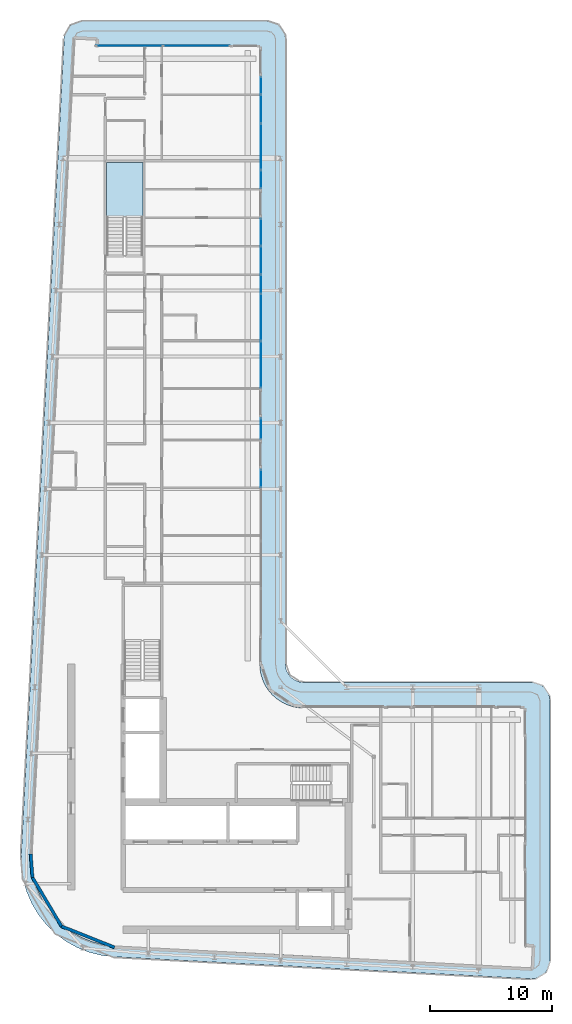
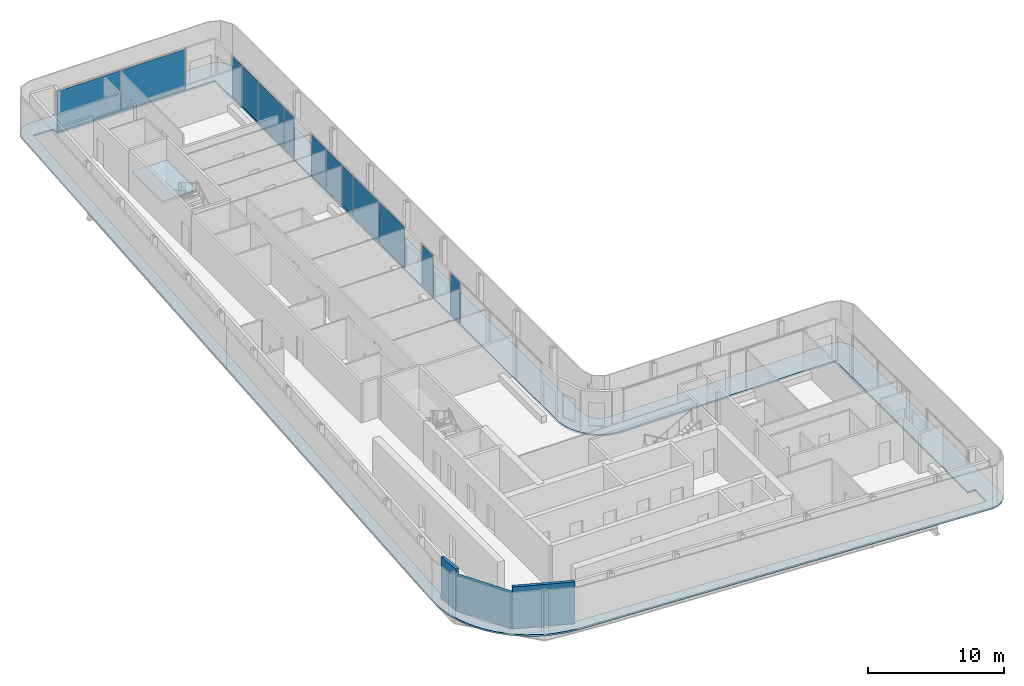
# One storey, part 10 of 21: 13 plates, 3 walls, 2 slabs, 8 elements without a shape of their own.
"""IFC4 building model written with IfcOpenShell, lengths in metres."""

from ifc_helpers import new_model, si_unit, direction, frame, frame_2d, origin, origin_2d, place, context, subcontext, project, spatial, polyline, rectangle, outline, extrude, material, layer, layer_set, type_object, element, aggregate, save


model = new_model("IFC4")

# Units and contexts
model_context = context("Model", 3, precision=1e-05, world=origin(), true_north=direction((0.0, 1.0)))
body_context = subcontext(model_context, "Body", "Model", "MODEL_VIEW")
ifc_project = project(units=[si_unit("LENGTHUNIT", "METRE"), si_unit("AREAUNIT", "SQUARE_METRE"), si_unit("VOLUMEUNIT", "CUBIC_METRE"), si_unit("PLANEANGLEUNIT", "RADIAN"), si_unit("MASSUNIT", "GRAM", prefix="KILO")], contexts=[model_context])

# Site, building, storey
site_placement = place(None, origin())
site = spatial("IfcSite", under=ifc_project, at=site_placement, CompositionType="ELEMENT")
building_placement = place(site_placement, origin())
building = spatial("IfcBuilding", under=site, at=building_placement, Name="Kheshtan School and Residences Tower", CompositionType="ELEMENT")
storey_placement = place(building_placement, frame((0.0, 0.0, 321.5)))
storey = spatial("IfcBuildingStorey", under=building, at=storey_placement, Name="L76", CompositionType="ELEMENT", Elevation=321.5)

# Curtain wall, plates
ifc_material_1 = material(Name="Clear low-e glass in thermally broken aluminium frame", Category="aluminium")
ifc_layer_1 = layer(ifc_material_1, 0.199951171875)
ifc_layer_set_1 = layer_set([ifc_layer_1], Name="Curtain wall CW-L")
curtain_wall_type = type_object("IfcCurtainWallType", Name="Curtain wall CW-L", PredefinedType="NOTDEFINED", material=ifc_layer_set_1)
curtain_wall_1_placement = place(storey_placement, origin())
curtain_wall_1 = element("IfcCurtainWall", 1, at=curtain_wall_1_placement, inside=storey, type_object=curtain_wall_type, Name="Curtain wall CWL7", PredefinedType="NOTDEFINED")
ifc_layer_2 = layer(ifc_material_1, 0.031982421875)
ifc_layer_set_2 = layer_set([ifc_layer_2], Name="CW-L glass panel")
plate_type = type_object("IfcPlateType", Name="CW-L glass panel", PredefinedType="CURTAIN_PANEL", material=ifc_layer_set_2)
plate_1_placement = place(storey_placement, frame((35.259033203125, 98.0, 0.0), z_axis=(0.0, 0.0, 1.0), x_axis=(1.0, 0.0, 0.0)))
plate_1 = element("IfcPlate", 2, at=plate_1_placement, type_object=plate_type, Name="CWL7 panel 1.1", PredefinedType="CURTAIN_PANEL", context=body_context, shape_type="SweptSolid", body=[
    extrude(rectangle(XDim=5.4140625, YDim=0.031982421875, at=origin_2d()), origin(), (0.0, 0.0, 1.0), 3.6298828125),
])
plate_2_placement = place(storey_placement, frame((40.73291015625, 98.0, 0.0), z_axis=(0.0, 0.0, 1.0), x_axis=(1.0, 0.0, 0.0)))
plate_2 = element("IfcPlate", 3, at=plate_2_placement, type_object=plate_type, Name="CWL7 panel 2.1", PredefinedType="CURTAIN_PANEL", context=body_context, shape_type="SweptSolid", body=[
    extrude(rectangle(XDim=5.4140625, YDim=0.031982421875, at=origin_2d()), origin(), (0.0, 0.0, 1.0), 3.6298828125),
])
aggregate(curtain_wall_1, [plate_1, plate_2])

curtain_wall_2_placement = place(storey_placement, origin())
curtain_wall_2 = element("IfcCurtainWall", 4, at=curtain_wall_2_placement, inside=storey, type_object=curtain_wall_type, Name="Curtain wall CWL8c", PredefinedType="NOTDEFINED")
plate_3_placement = place(storey_placement, frame((46.0, 94.735107421875, 0.0), z_axis=(0.0, 0.0, 1.0), x_axis=(0.0, -1.0, 0.0)))
plate_3 = element("IfcPlate", 5, at=plate_3_placement, type_object=plate_type, Name="CWL8c panel 1.1", PredefinedType="CURTAIN_PANEL", context=body_context, shape_type="SweptSolid", body=[
    extrude(rectangle(XDim=1.409912109375, YDim=0.031982421875, at=origin_2d()), origin(), (0.0, 0.0, 1.0), 3.6298828125),
])
plate_4_placement = place(storey_placement, frame((46.0, 92.826416015625, 0.0), z_axis=(0.0, 0.0, 1.0), x_axis=(0.0, -1.0, 0.0)))
plate_4 = element("IfcPlate", 6, at=plate_4_placement, type_object=plate_type, Name="CWL8c panel 2.1", PredefinedType="CURTAIN_PANEL", context=body_context, shape_type="SweptSolid", body=[
    extrude(rectangle(XDim=2.287109375, YDim=0.031982421875, at=origin_2d()), origin(), (0.0, 0.0, 1.0), 3.6298828125),
])
plate_5_placement = place(storey_placement, frame((46.0, 89.744384765625, 0.0), z_axis=(0.0, 0.0, 1.0), x_axis=(0.0, -1.0, 0.0)))
plate_5 = element("IfcPlate", 7, at=plate_5_placement, type_object=plate_type, Name="CWL8c panel 3.1", PredefinedType="CURTAIN_PANEL", context=body_context, shape_type="SweptSolid", body=[
    extrude(rectangle(XDim=3.757080078125, YDim=0.031982421875, at=origin_2d()), origin(), (0.0, 0.0, 1.0), 3.6298828125),
])
aggregate(curtain_wall_2, [plate_3, plate_4, plate_5])

# Curtain wall, plate
curtain_wall_3_placement = place(storey_placement, origin())
curtain_wall_3 = element("IfcCurtainWall", 8, at=curtain_wall_3_placement, inside=storey, type_object=curtain_wall_type, Name="Curtain wall CWL8a", PredefinedType="NOTDEFINED")
plate_6_placement = place(storey_placement, frame((46.0, 87.0859375, 0.0), z_axis=(0.0, 0.0, 1.0), x_axis=(0.0, -1.0, 0.0)))
plate_6 = element("IfcPlate", 9, at=plate_6_placement, type_object=plate_type, Name="CWL8a panel 1.1", PredefinedType="CURTAIN_PANEL", context=body_context, shape_type="SweptSolid", body=[
    extrude(rectangle(XDim=1.43994140625, YDim=0.031982421875, at=origin_2d()), origin(), (0.0, 0.0, 1.0), 3.6298828125),
])
aggregate(curtain_wall_3, [plate_6])

# Curtain wall, plates
curtain_wall_4_placement = place(storey_placement, origin())
curtain_wall_4 = element("IfcCurtainWall", 10, at=curtain_wall_4_placement, inside=storey, type_object=curtain_wall_type, Name="Curtain wall CWL8b", PredefinedType="NOTDEFINED")
plate_7_placement = place(storey_placement, frame((46.0, 82.75048828125, 0.0), z_axis=(0.0, 0.0, 1.0), x_axis=(0.0, -1.0, 0.0)))
plate_7 = element("IfcPlate", 11, at=plate_7_placement, type_object=plate_type, Name="CWL8b panel 1.1", PredefinedType="CURTAIN_PANEL", context=body_context, shape_type="SweptSolid", body=[
    extrude(rectangle(XDim=2.19091796875, YDim=0.031982421875, at=origin_2d()), origin(), (0.0, 0.0, 1.0), 3.6298828125),
])
plate_8_placement = place(storey_placement, frame((46.0, 80.46240234375, 0.0), z_axis=(0.0, 0.0, 1.0), x_axis=(0.0, -1.0, 0.0)))
plate_8 = element("IfcPlate", 12, at=plate_8_placement, type_object=plate_type, Name="CWL8b panel 2.1", PredefinedType="CURTAIN_PANEL", context=body_context, shape_type="SweptSolid", body=[
    extrude(rectangle(XDim=2.264892578125, YDim=0.031982421875, at=origin_2d()), origin(), (0.0, 0.0, 1.0), 3.6298828125),
])
plate_9_placement = place(storey_placement, frame((46.0, 78.52099609375, 0.0), z_axis=(0.0, 0.0, 1.0), x_axis=(0.0, -1.0, 0.0)))
plate_9 = element("IfcPlate", 13, at=plate_9_placement, type_object=plate_type, Name="CWL8b panel 3.1", PredefinedType="CURTAIN_PANEL", context=body_context, shape_type="SweptSolid", body=[
    extrude(rectangle(XDim=1.498046875, YDim=0.031982421875, at=origin_2d()), origin(), (0.0, 0.0, 1.0), 3.6298828125),
])
aggregate(curtain_wall_4, [plate_7, plate_8, plate_9])

curtain_wall_5_placement = place(storey_placement, origin())
curtain_wall_5 = element("IfcCurtainWall", 14, at=curtain_wall_5_placement, inside=storey, type_object=curtain_wall_type, Name="Curtain wall CWL8", PredefinedType="NOTDEFINED")
plate_10_placement = place(storey_placement, frame((46.0, 75.803466796875, 0.0), z_axis=(0.0, 0.0, 1.0), x_axis=(0.0, -1.0, 0.0)))
plate_10 = element("IfcPlate", 15, at=plate_10_placement, type_object=plate_type, Name="CWL8 panel 1.1", PredefinedType="CURTAIN_PANEL", context=body_context, shape_type="SweptSolid", body=[
    extrude(rectangle(XDim=3.81689453125, YDim=0.031982421875, at=origin_2d()), origin(), (0.0, 0.0, 1.0), 3.6298828125),
])
plate_11_placement = place(storey_placement, frame((46.0, 71.95654296875, 0.0), z_axis=(0.0, 0.0, 1.0), x_axis=(0.0, -1.0, 0.0)))
plate_11 = element("IfcPlate", 16, at=plate_11_placement, type_object=plate_type, Name="CWL8 panel 2.1", PredefinedType="CURTAIN_PANEL", context=body_context, shape_type="SweptSolid", body=[
    extrude(rectangle(XDim=3.757080078125, YDim=0.031982421875, at=origin_2d()), origin(), (0.0, 0.0, 1.0), 3.6298828125),
])
aggregate(curtain_wall_5, [plate_10, plate_11])

# Curtain wall, plate
curtain_wall_6_placement = place(storey_placement, origin())
curtain_wall_6 = element("IfcCurtainWall", 17, at=curtain_wall_6_placement, inside=storey, type_object=curtain_wall_type, Name="Curtain wall CWL8e", PredefinedType="NOTDEFINED")
plate_12_placement = place(storey_placement, frame((46.0, 66.718017578125, 0.0), z_axis=(0.0, 0.0, 1.0), x_axis=(0.0, -1.0, 0.0)))
plate_12 = element("IfcPlate", 18, at=plate_12_placement, type_object=plate_type, Name="CWL8e panel 1.1", PredefinedType="CURTAIN_PANEL", context=body_context, shape_type="SweptSolid", body=[
    extrude(rectangle(XDim=1.679931640625, YDim=0.031982421875, at=origin_2d()), origin(), (0.0, 0.0, 1.0), 3.6298828125),
])
aggregate(curtain_wall_6, [plate_12])

curtain_wall_7_placement = place(storey_placement, origin())
curtain_wall_7 = element("IfcCurtainWall", 19, at=curtain_wall_7_placement, inside=storey, type_object=curtain_wall_type, Name="Curtain wall CWL8m", PredefinedType="NOTDEFINED")
plate_13_placement = place(storey_placement, frame((46.0, 62.64404296875, 0.0), z_axis=(0.0, 0.0, 1.0), x_axis=(0.0, -1.0, 0.0)))
plate_13 = element("IfcPlate", 20, at=plate_13_placement, type_object=plate_type, Name="CWL8m panel 1.1", PredefinedType="CURTAIN_PANEL", context=body_context, shape_type="SweptSolid", body=[
    extrude(rectangle(XDim=1.427978515625, YDim=0.031982421875, at=origin_2d()), origin(), (0.0, 0.0, 1.0), 3.6298828125),
])
aggregate(curtain_wall_7, [plate_13])

# Slab
ifc_material_2 = material(Name="Concrete C40/50", Category="concrete")
ifc_layer_3 = layer(ifc_material_2, 0.14990234375)
ifc_layer_set_3 = layer_set([ifc_layer_3], Name="Loggia balcony slab 150 Concrete C40/50")
slab_type_1 = type_object("IfcSlabType", Name="Loggia balcony slab 150 Concrete C40/50", PredefinedType="FLOOR", material=ifc_layer_set_3)
slab_1_placement = place(storey_placement, frame((0.0, 0.0, -0.14990234375)))
element("IfcSlab", 21, at=slab_1_placement, inside=storey, type_object=slab_type_1, Name="Loggia balcony slab L76", PredefinedType="FLOOR", context=body_context, shape_type="SweptSolid", body=[
    extrude(outline(polyline([(28.4580078125, 26.222900390625), (28.45703125, 26.222900390625), (28.45703125, 26.22412109375), (28.4560546875, 26.22412109375), (27.81494140625, 27.0390625), (27.281005859375, 27.93798828125), (26.867919921875, 28.89990234375), (26.583984375, 29.89990234375), (26.583984375, 29.906982421875), (26.43408203125, 30.943115234375), (26.419921875, 31.989013671875), (29.925048828125, 98.5791015625), (29.930908203125, 98.626953125), (29.930908203125, 98.6279296875), (29.929931640625, 98.6279296875), (29.929931640625, 98.62890625), (29.928955078125, 98.62890625), (29.928955078125, 98.6298828125), (29.927978515625, 98.6298828125), (29.927978515625, 98.631103515625), (29.927001953125, 98.631103515625), (29.927001953125, 98.632080078125), (29.927001953125, 98.633056640625), (29.945068359375, 98.781005859375), (29.945068359375, 98.783935546875), (29.945068359375, 98.784912109375), (29.946044921875, 98.784912109375), (29.946044921875, 98.785888671875), (29.947021484375, 98.785888671875), (29.947021484375, 98.787109375), (29.947998046875, 98.787109375), (29.948974609375, 98.787109375), (29.948974609375, 98.7880859375), (29.949951171875, 98.7880859375), (29.949951171875, 98.7890625), (29.949951171875, 98.791015625), (30.0029296875, 98.98388671875), (30.083984375, 99.175048828125), (30.18896484375, 99.35302734375), (30.31103515625, 99.507080078125), (30.31201171875, 99.507080078125), (30.31201171875, 99.508056640625), (30.31298828125, 99.508056640625), (30.31298828125, 99.509033203125), (30.31396484375, 99.509033203125), (30.31396484375, 99.510009765625), (30.31494140625, 99.510009765625), (30.31494140625, 99.510986328125), (30.31591796875, 99.510986328125), (30.31591796875, 99.511962890625), (30.31689453125, 99.511962890625), (30.31689453125, 99.512939453125), (30.318115234375, 99.512939453125), (30.320068359375, 99.512939453125), (30.321044921875, 99.512939453125), (30.321044921875, 99.513916015625), (30.468017578125, 99.656982421875), (30.468994140625, 99.656982421875), (30.468994140625, 99.657958984375), (30.469970703125, 99.657958984375), (30.469970703125, 99.658935546875), (30.470947265625, 99.658935546875), (30.470947265625, 99.659912109375), (30.471923828125, 99.659912109375), (30.471923828125, 99.660888671875), (30.472900390625, 99.660888671875), (30.472900390625, 99.662109375), (30.47412109375, 99.662109375), (30.47412109375, 99.6630859375), (30.47509765625, 99.6630859375), (30.47509765625, 99.6640625), (30.635986328125, 99.777099609375), (30.820068359375, 99.873046875), (31.007080078125, 99.943115234375), (31.013916015625, 99.943115234375), (31.217041015625, 99.986083984375), (31.423095703125, 100.0), (46.5, 100.0), (46.696044921875, 99.987060546875), (46.887939453125, 99.948974609375), (46.89501953125, 99.948974609375), (47.073974609375, 99.885986328125), (47.242919921875, 99.801025390625), (47.243896484375, 99.801025390625), (47.2470703125, 99.801025390625), (47.248046875, 99.801025390625), (47.248046875, 99.802001953125), (47.2490234375, 99.802001953125), (47.2490234375, 99.802978515625), (47.25, 99.802978515625), (47.2529296875, 99.802978515625), (47.25390625, 99.802978515625), (47.25390625, 99.802001953125), (47.2548828125, 99.802001953125), (47.2548828125, 99.801025390625), (47.256103515625, 99.801025390625), (47.256103515625, 99.800048828125), (47.257080078125, 99.800048828125), (47.257080078125, 99.799072265625), (47.258056640625, 99.799072265625), (47.258056640625, 99.798095703125), (47.412109375, 99.696044921875), (47.4130859375, 99.696044921875), (47.4130859375, 99.695068359375), (47.4140625, 99.695068359375), (47.4140625, 99.694091796875), (47.4140625, 99.68994140625), (47.4140625, 99.68896484375), (47.4150390625, 99.68896484375), (47.4150390625, 99.68798828125), (47.416015625, 99.68798828125), (47.416015625, 99.68701171875), (47.4169921875, 99.68701171875), (47.4169921875, 99.68603515625), (47.554931640625, 99.568115234375), (47.554931640625, 99.56689453125), (47.555908203125, 99.56689453125), (47.555908203125, 99.56591796875), (47.556884765625, 99.56591796875), (47.556884765625, 99.56494140625), (47.55810546875, 99.56494140625), (47.55810546875, 99.56396484375), (47.55908203125, 99.56396484375), (47.55908203125, 99.56298828125), (47.56005859375, 99.56298828125), (47.56005859375, 99.56201171875), (47.56103515625, 99.56201171875), (47.56201171875, 99.56103515625), (47.56201171875, 99.56005859375), (47.56298828125, 99.56005859375), (47.56298828125, 99.55908203125), (47.56396484375, 99.55908203125), (47.56396484375, 99.55810546875), (47.56494140625, 99.55810546875), (47.56494140625, 99.556884765625), (47.56591796875, 99.556884765625), (47.56591796875, 99.555908203125), (47.56689453125, 99.555908203125), (47.56689453125, 99.554931640625), (47.568115234375, 99.554931640625), (47.68505859375, 99.41796875), (47.68603515625, 99.41796875), (47.68603515625, 99.4169921875), (47.68701171875, 99.4169921875), (47.68701171875, 99.416015625), (47.68798828125, 99.416015625), (47.68798828125, 99.4150390625), (47.68896484375, 99.4150390625), (47.68896484375, 99.4140625), (47.68994140625, 99.4140625), (47.694091796875, 99.4140625), (47.695068359375, 99.4140625), (47.695068359375, 99.4130859375), (47.696044921875, 99.4130859375), (47.696044921875, 99.412109375), (47.797119140625, 99.259033203125), (47.798095703125, 99.259033203125), (47.798095703125, 99.258056640625), (47.799072265625, 99.258056640625), (47.799072265625, 99.257080078125), (47.800048828125, 99.257080078125), (47.800048828125, 99.256103515625), (47.801025390625, 99.256103515625), (47.801025390625, 99.2548828125), (47.802001953125, 99.2548828125), (47.802001953125, 99.25390625), (47.802978515625, 99.25390625), (47.802978515625, 99.2529296875), (47.802978515625, 99.25), (47.802978515625, 99.2490234375), (47.802001953125, 99.2490234375), (47.802001953125, 99.248046875), (47.801025390625, 99.248046875), (47.801025390625, 99.2470703125), (47.801025390625, 99.243896484375), (47.801025390625, 99.242919921875), (47.885986328125, 99.073974609375), (47.948974609375, 98.89501953125), (47.948974609375, 98.887939453125), (47.987060546875, 98.696044921875), (48.0, 98.5), (48.0, 47.5), (48.012939453125, 47.303955078125), (48.051025390625, 47.113037109375), (48.051025390625, 47.10693359375), (48.051025390625, 47.10595703125), (48.114013671875, 46.926025390625), (48.200927734375, 46.75), (48.31005859375, 46.5869140625), (48.431884765625, 46.444091796875), (48.43310546875, 46.444091796875), (48.43310546875, 46.443115234375), (48.43408203125, 46.443115234375), (48.43408203125, 46.44189453125), (48.43505859375, 46.44189453125), (48.43505859375, 46.44091796875), (48.43603515625, 46.44091796875), (48.43603515625, 46.43994140625), (48.43701171875, 46.43994140625), (48.43701171875, 46.43896484375), (48.43798828125, 46.43896484375), (48.43896484375, 46.43798828125), (48.43896484375, 46.43701171875), (48.43994140625, 46.43701171875), (48.43994140625, 46.43603515625), (48.44091796875, 46.43603515625), (48.44091796875, 46.43505859375), (48.44189453125, 46.43505859375), (48.44189453125, 46.43408203125), (48.443115234375, 46.43408203125), (48.443115234375, 46.43310546875), (48.444091796875, 46.43310546875), (48.444091796875, 46.431884765625), (48.5869140625, 46.31005859375), (48.75, 46.200927734375), (48.926025390625, 46.114013671875), (49.10595703125, 46.051025390625), (49.10693359375, 46.051025390625), (49.113037109375, 46.051025390625), (49.303955078125, 46.012939453125), (49.5, 46.0), (68.10009765625, 46.0), (68.2958984375, 45.987060546875), (68.488037109375, 45.948974609375), (68.4951171875, 45.948974609375), (68.674072265625, 45.885986328125), (68.842041015625, 45.801025390625), (68.843017578125, 45.801025390625), (68.846923828125, 45.801025390625), (68.847900390625, 45.801025390625), (68.847900390625, 45.802001953125), (68.84912109375, 45.802001953125), (68.84912109375, 45.802978515625), (68.85009765625, 45.802978515625), (68.85302734375, 45.802978515625), (68.85400390625, 45.802978515625), (68.85400390625, 45.802001953125), (68.85498046875, 45.802001953125), (68.85498046875, 45.801025390625), (68.85595703125, 45.801025390625), (68.85595703125, 45.800048828125), (68.85693359375, 45.800048828125), (68.85693359375, 45.799072265625), (68.85791015625, 45.799072265625), (68.85791015625, 45.798095703125), (68.85888671875, 45.798095703125), (68.85888671875, 45.797119140625), (68.860107421875, 45.797119140625), (68.860107421875, 45.7958984375), (69.011962890625, 45.696044921875), (69.012939453125, 45.696044921875), (69.012939453125, 45.695068359375), (69.013916015625, 45.695068359375), (69.013916015625, 45.694091796875), (69.013916015625, 45.68994140625), (69.013916015625, 45.68896484375), (69.014892578125, 45.68896484375), (69.014892578125, 45.68798828125), (69.01611328125, 45.68798828125), (69.01611328125, 45.68701171875), (69.01708984375, 45.68701171875), (69.01708984375, 45.68603515625), (69.01806640625, 45.68603515625), (69.01806640625, 45.68505859375), (69.01904296875, 45.68505859375), (69.01904296875, 45.68408203125), (69.155029296875, 45.568115234375), (69.155029296875, 45.56689453125), (69.156005859375, 45.56689453125), (69.156005859375, 45.56591796875), (69.156982421875, 45.56591796875), (69.156982421875, 45.56494140625), (69.157958984375, 45.56494140625), (69.157958984375, 45.56396484375), (69.158935546875, 45.56396484375), (69.158935546875, 45.56298828125), (69.159912109375, 45.56298828125), (69.159912109375, 45.56201171875), (69.160888671875, 45.56201171875), (69.162109375, 45.56103515625), (69.162109375, 45.56005859375), (69.1630859375, 45.56005859375), (69.1630859375, 45.55908203125), (69.1640625, 45.55908203125), (69.1640625, 45.55810546875), (69.1650390625, 45.55810546875), (69.1650390625, 45.556884765625), (69.166015625, 45.556884765625), (69.166015625, 45.555908203125), (69.1669921875, 45.555908203125), (69.1669921875, 45.554931640625), (69.16796875, 45.554931640625), (69.281982421875, 45.4208984375), (69.282958984375, 45.4208984375), (69.282958984375, 45.419921875), (69.283935546875, 45.419921875), (69.283935546875, 45.4189453125), (69.284912109375, 45.4189453125), (69.284912109375, 45.41796875), (69.285888671875, 45.41796875), (69.285888671875, 45.4169921875), (69.287109375, 45.4169921875), (69.287109375, 45.416015625), (69.2880859375, 45.416015625), (69.2880859375, 45.4150390625), (69.2890625, 45.4150390625), (69.2890625, 45.4140625), (69.2900390625, 45.4140625), (69.2939453125, 45.4140625), (69.294921875, 45.4140625), (69.294921875, 45.4130859375), (69.2958984375, 45.4130859375), (69.2958984375, 45.412109375), (69.39404296875, 45.261962890625), (69.39501953125, 45.261962890625), (69.39501953125, 45.260986328125), (69.39599609375, 45.260986328125), (69.39599609375, 45.260009765625), (69.39697265625, 45.260009765625), (69.39697265625, 45.259033203125), (69.39794921875, 45.259033203125), (69.39794921875, 45.258056640625), (69.39892578125, 45.258056640625), (69.39892578125, 45.257080078125), (69.39990234375, 45.257080078125), (69.39990234375, 45.256103515625), (69.40087890625, 45.256103515625), (69.40087890625, 45.2548828125), (69.402099609375, 45.2548828125), (69.402099609375, 45.25390625), (69.403076171875, 45.25390625), (69.403076171875, 45.2529296875), (69.403076171875, 45.25), (69.403076171875, 45.2490234375), (69.402099609375, 45.2490234375), (69.402099609375, 45.248046875), (69.40087890625, 45.248046875), (69.40087890625, 45.2470703125), (69.40087890625, 45.240966796875), (69.40087890625, 45.239990234375), (69.486083984375, 45.073974609375), (69.549072265625, 44.89501953125), (69.549072265625, 44.887939453125), (69.5869140625, 44.696044921875), (69.60009765625, 44.5), (69.60009765625, 23.285888671875), (69.5859375, 23.083984375), (69.544921875, 22.885009765625), (69.544921875, 22.8779296875), (69.47802734375, 22.694091796875), (69.385986328125, 22.513916015625), (69.27099609375, 22.347900390625), (69.27099609375, 22.346923828125), (69.27099609375, 22.345947265625), (69.27099609375, 22.344970703125), (69.27197265625, 22.344970703125), (69.27197265625, 22.343994140625), (69.27197265625, 22.342041015625), (69.27197265625, 22.341064453125), (69.27099609375, 22.341064453125), (69.27099609375, 22.340087890625), (69.137939453125, 22.197021484375), (69.135009765625, 22.194091796875), (69.134033203125, 22.194091796875), (69.134033203125, 22.193115234375), (69.133056640625, 22.193115234375), (69.131103515625, 22.193115234375), (69.1298828125, 22.193115234375), (69.1298828125, 22.194091796875), (69.12890625, 22.194091796875), (69.1279296875, 22.194091796875), (69.126953125, 22.194091796875), (68.97607421875, 22.069091796875), (68.803955078125, 21.9619140625), (68.618896484375, 21.87890625), (68.430908203125, 21.822021484375), (68.424072265625, 21.822021484375), (68.22412109375, 21.791015625), (68.02099609375, 21.7880859375), (33.989013671875, 23.580078125), (33.94189453125, 23.5859375), (33.94091796875, 23.5859375), (33.93994140625, 23.5859375), (33.93994140625, 23.5849609375), (33.93896484375, 23.5849609375), (33.93896484375, 23.583984375), (33.93798828125, 23.583984375), (33.93798828125, 23.5830078125), (33.93701171875, 23.5830078125), (33.93701171875, 23.58203125), (33.93603515625, 23.58203125), (33.93505859375, 23.58203125), (32.952880859375, 23.697998046875), (32.949951171875, 23.697998046875), (32.948974609375, 23.697998046875), (32.948974609375, 23.698974609375), (32.947998046875, 23.698974609375), (32.947998046875, 23.699951171875), (32.947021484375, 23.699951171875), (32.947021484375, 23.700927734375), (32.947021484375, 23.702880859375), (32.947021484375, 23.7041015625), (32.946044921875, 23.7041015625), (32.946044921875, 23.705078125), (32.945068359375, 23.705078125), (32.944091796875, 23.705078125), (31.93603515625, 23.9609375), (31.928955078125, 23.9609375), (30.964111328125, 24.34912109375), (30.051025390625, 24.860107421875), (29.218994140625, 25.47900390625), (29.218994140625, 25.47998046875), (29.218017578125, 25.47998046875), (29.218017578125, 25.48095703125), (29.217041015625, 25.48095703125), (29.217041015625, 25.48193359375), (29.216064453125, 25.48193359375), (29.216064453125, 25.48291015625), (29.215087890625, 25.48291015625), (29.215087890625, 25.48388671875), (29.214111328125, 25.48388671875), (29.214111328125, 25.485107421875), (29.212890625, 25.485107421875), (29.212890625, 25.486083984375), (29.2119140625, 25.486083984375), (28.466064453125, 26.217041015625), (28.466064453125, 26.218017578125), (28.465087890625, 26.218017578125), (28.462890625, 26.218017578125), (28.4619140625, 26.218017578125), (28.4619140625, 26.218994140625), (28.4609375, 26.218994140625), (28.4609375, 26.219970703125), (28.4599609375, 26.219970703125), (28.4599609375, 26.220947265625), (28.458984375, 26.220947265625), (28.458984375, 26.221923828125), (28.4580078125, 26.221923828125), (28.4580078125, 26.222900390625)]), holes=[polyline([(29.12890625, 26.824951171875), (29.12890625, 26.823974609375), (29.1298828125, 26.823974609375), (29.1298828125, 26.822998046875), (29.131103515625, 26.822998046875), (29.131103515625, 26.822021484375), (29.132080078125, 26.822021484375), (29.132080078125, 26.821044921875), (29.133056640625, 26.821044921875), (29.133056640625, 26.820068359375), (29.134033203125, 26.820068359375), (29.794921875, 26.173095703125), (29.794921875, 26.172119140625), (29.7958984375, 26.172119140625), (29.798095703125, 26.172119140625), (29.799072265625, 26.172119140625), (29.799072265625, 26.1708984375), (29.800048828125, 26.1708984375), (29.800048828125, 26.169921875), (29.801025390625, 26.169921875), (29.801025390625, 26.1689453125), (29.802001953125, 26.1689453125), (29.802001953125, 26.16796875), (29.802978515625, 26.16796875), (29.802978515625, 26.1669921875), (29.803955078125, 26.1669921875), (29.803955078125, 26.166015625), (30.541015625, 25.616943359375), (31.35205078125, 25.1630859375), (32.208984375, 24.819091796875), (32.2099609375, 24.819091796875), (32.216064453125, 24.819091796875), (33.114990234375, 24.590087890625), (34.06591796875, 24.47705078125), (68.0380859375, 22.68798828125), (68.06494140625, 22.68896484375), (68.06591796875, 22.68896484375), (68.06689453125, 22.68896484375), (68.06689453125, 22.68994140625), (68.068115234375, 22.68994140625), (68.068115234375, 22.69091796875), (68.068115234375, 22.69189453125), (68.157958984375, 24.381103515625), (68.157958984375, 24.382080078125), (68.157958984375, 24.383056640625), (68.156982421875, 24.383056640625), (68.156982421875, 24.384033203125), (68.156005859375, 24.384033203125), (68.155029296875, 24.384033203125), (67.5009765625, 24.4189453125), (67.5, 24.4189453125), (67.5, 24.419921875), (67.5, 43.89794921875), (67.5, 43.89892578125), (67.4990234375, 43.89892578125), (67.4990234375, 43.89990234375), (67.498046875, 43.89990234375), (49.429931640625, 43.89990234375), (49.030029296875, 43.927001953125), (48.569091796875, 44.01806640625), (48.56201171875, 44.01806640625), (48.1201171875, 44.169921875), (47.697021484375, 44.37890625), (47.30810546875, 44.638916015625), (46.95703125, 44.944091796875), (46.95703125, 44.945068359375), (46.9560546875, 44.945068359375), (46.9560546875, 44.946044921875), (46.955078125, 44.946044921875), (46.955078125, 44.947021484375), (46.9541015625, 44.947021484375), (46.9541015625, 44.947998046875), (46.952880859375, 44.947998046875), (46.952880859375, 44.948974609375), (46.951904296875, 44.948974609375), (46.951904296875, 44.949951171875), (46.951904296875, 44.950927734375), (46.950927734375, 44.950927734375), (46.950927734375, 44.951904296875), (46.949951171875, 44.951904296875), (46.948974609375, 44.951904296875), (46.948974609375, 44.952880859375), (46.947998046875, 44.952880859375), (46.947998046875, 44.9541015625), (46.947021484375, 44.9541015625), (46.947021484375, 44.955078125), (46.946044921875, 44.955078125), (46.946044921875, 44.9560546875), (46.945068359375, 44.9560546875), (46.945068359375, 44.95703125), (46.944091796875, 44.95703125), (46.638916015625, 45.30810546875), (46.37890625, 45.697021484375), (46.169921875, 46.1201171875), (46.01806640625, 46.56201171875), (46.01806640625, 46.569091796875), (45.927001953125, 47.030029296875), (45.89990234375, 47.429931640625), (45.89990234375, 97.89794921875), (45.89990234375, 97.89892578125), (45.89892578125, 97.89892578125), (45.89892578125, 97.89990234375), (45.89794921875, 97.89990234375), (32.492919921875, 97.89990234375), (32.491943359375, 97.89990234375), (32.52099609375, 98.43896484375), (32.52099609375, 98.43994140625), (32.52099609375, 98.44091796875), (32.52001953125, 98.44091796875), (32.52001953125, 98.44189453125), (32.51904296875, 98.44189453125), (32.51806640625, 98.44189453125), (30.8291015625, 98.531982421875), (30.827880859375, 98.531982421875), (30.826904296875, 98.531982421875), (30.826904296875, 98.531005859375), (30.825927734375, 98.531005859375), (30.825927734375, 98.530029296875), (30.825927734375, 98.529052734375), (30.822021484375, 98.5009765625), (27.320068359375, 31.970947265625), (27.3330078125, 31.013916015625), (27.466064453125, 30.093994140625), (27.466064453125, 30.087890625), (27.466064453125, 30.0869140625), (27.718017578125, 29.200927734375), (28.0849609375, 28.345947265625), (28.55908203125, 27.550048828125), (29.126953125, 26.825927734375), (29.1279296875, 26.825927734375), (29.1279296875, 26.824951171875), (29.12890625, 26.824951171875)])]), origin(), (0.0, 0.0, 1.0), 0.14990234375),
])

# Stair, slab
stair_type = type_object("IfcStairType", Name="Exit stair, half-turn", PredefinedType="HALF_TURN_STAIR", material=ifc_material_2)
stair_placement = place(storey_placement, origin())
stair = element("IfcStair", 22, at=stair_placement, inside=storey, type_object=stair_type, Name="L76 Protected Exit Stair ST3", PredefinedType="HALF_TURN_STAIR")
ifc_layer_4 = layer(ifc_material_2, 0.199951171875)
ifc_layer_set_4 = layer_set([ifc_layer_4], Name="Stair landing 200 Concrete C40/50")
slab_type_2 = type_object("IfcSlabType", Name="Stair landing 200 Concrete C40/50", PredefinedType="LANDING", material=ifc_layer_set_4)
slab_2_placement = place(storey_placement, frame((0.0, 0.0, 1.75)))
slab_2 = element("IfcSlab", 23, at=slab_2_placement, type_object=slab_type_2, Name="ST3 landing 1", PredefinedType="LANDING", context=body_context, shape_type="SweptSolid", body=[
    extrude(outline(polyline([(36.35009765625, 83.97998046875), (36.35009765625, 88.4599609375), (33.39990234375, 88.4599609375), (33.39990234375, 83.97998046875), (36.35009765625, 83.97998046875)])), origin(), (0.0, 0.0, 1.0), 0.199951171875),
])
aggregate(stair, [slab_2])

# Walls
ifc_material_3 = material(Name="Concrete C40/50 with ceramic cladding and mineral wool insulation", Category="concrete")
ifc_layer_5 = layer(ifc_material_3, 0.25)
ifc_layer_set_5 = layer_set([ifc_layer_5], Name="External wall 250 ceramic clad")
wall_type = type_object("IfcWallType", Name="External wall 250 ceramic clad", PredefinedType="SOLIDWALL", material=ifc_layer_set_5)
wall_1_placement = place(storey_placement, frame((34.0390625, 24.35302734375, 0.0), z_axis=(0.0, 0.0, 1.0), x_axis=(-0.929352825399, 0.369192803184, 0.0)))
element("IfcWall", 24, at=wall_1_placement, inside=storey, type_object=wall_type, Name="External wall L76 1", PredefinedType="SOLIDWALL", context=body_context, shape_type="SweptSolid", body=[
    extrude(rectangle(XDim=4.656005859375, YDim=0.25, at=frame_2d((2.328125, 0.0))), origin(), (0.0, 0.0, 1.0), 3.75),
])
wall_2_placement = place(storey_placement, frame((29.7119140625, 26.072021484375, 0.0), z_axis=(0.0, 0.0, 1.0), x_axis=(-0.511028049012, 0.859564036662, 0.0)))
element("IfcWall", 25, at=wall_2_placement, inside=storey, type_object=wall_type, Name="External wall L76 2", PredefinedType="SOLIDWALL", context=body_context, shape_type="SweptSolid", body=[
    extrude(rectangle(XDim=4.633544921875, YDim=0.25, at=frame_2d((2.31689453125, 0.0))), origin(), (0.0, 0.0, 1.0), 3.217041015625),
])
wall_3_placement = place(storey_placement, frame((27.343994140625, 30.054931640625, 0.0), z_axis=(0.0, 0.0, 1.0), x_axis=(-0.077571675317, 0.99698677784, 0.0)))
element("IfcWall", 26, at=wall_3_placement, inside=storey, type_object=wall_type, Name="External wall L76 3", PredefinedType="SOLIDWALL", context=body_context, shape_type="SweptSolid", body=[
    extrude(rectangle(XDim=1.919921875, YDim=0.25, at=frame_2d((0.9599609375, 0.0))), origin(), (0.0, 0.0, 1.0), 3.75),
])

save(model, "model.ifc")
